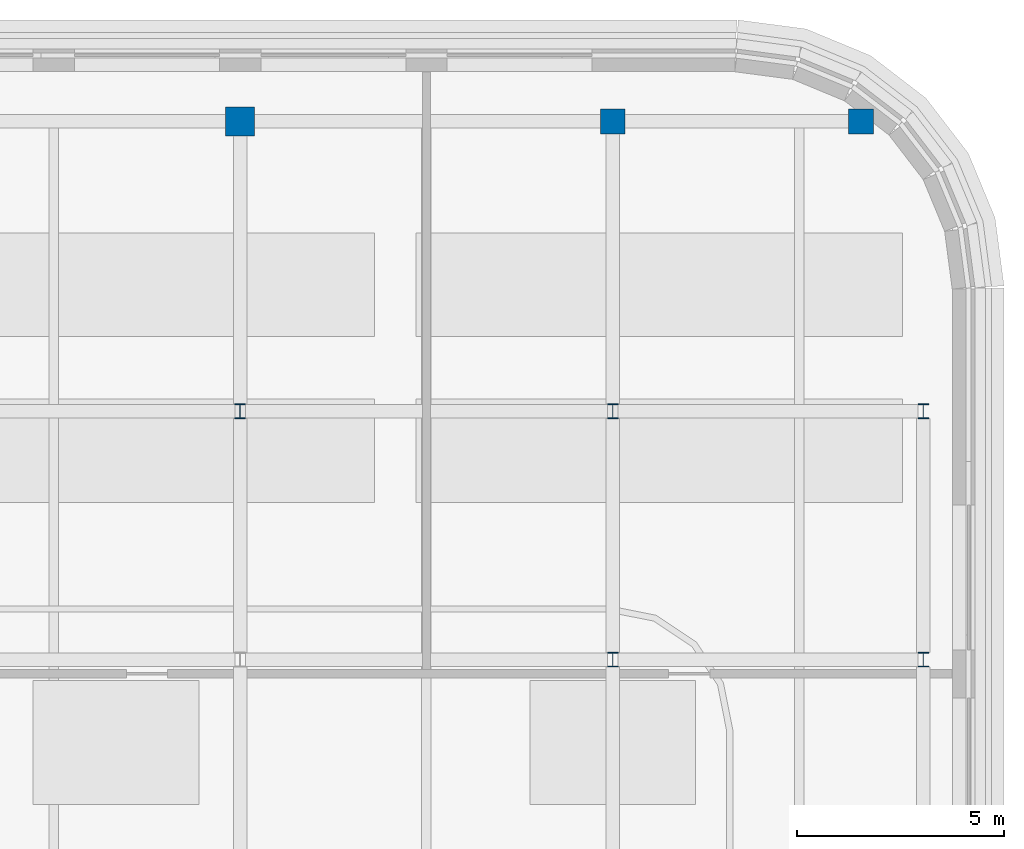
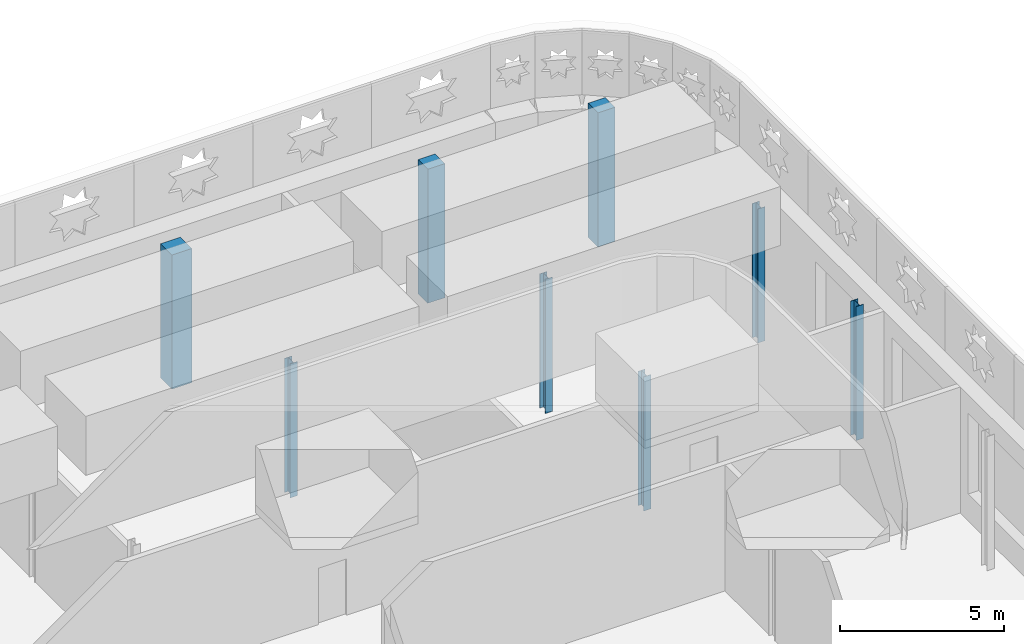
# One storey, part 4 of 14: 8 columns.
"""IFC4 building model written with IfcOpenShell, lengths in metres."""

from ifc_helpers import new_model, si_unit, direction, frame, origin, origin_2d, place, context, subcontext, project, spatial, rectangle, i_section, extrude, material, material_profile, profile_set, type_object, element, save


model = new_model("IFC4")

# Units and contexts
model_context = context("Model", 3, precision=1e-05, world=origin(), true_north=direction((0.0, 1.0)))
body_context = subcontext(model_context, "Body", "Model", "MODEL_VIEW")
ifc_project = project(units=[si_unit("LENGTHUNIT", "METRE"), si_unit("AREAUNIT", "SQUARE_METRE"), si_unit("VOLUMEUNIT", "CUBIC_METRE"), si_unit("PLANEANGLEUNIT", "RADIAN"), si_unit("MASSUNIT", "GRAM", prefix="KILO")], contexts=[model_context])

# Site, building, storey
site_placement = place(None, origin())
site = spatial("IfcSite", under=ifc_project, at=site_placement, CompositionType="ELEMENT")
building_placement = place(site_placement, origin())
building = spatial("IfcBuilding", under=site, at=building_placement, Name="Zellij Exchange Tower", CompositionType="ELEMENT")
storey_placement = place(building_placement, frame((0.0, 0.0, 305.5)))
storey = spatial("IfcBuildingStorey", under=building, at=storey_placement, Name="L71", CompositionType="ELEMENT", Elevation=305.5)

# Columns
ifc_material_1 = material(Name="Concrete C50/60", Category="concrete")
ifc_material_profile_1 = material_profile(ifc_material_1, rectangle(XDim=0.60009765625, YDim=0.60009765625, at=origin_2d()), Name="STR-COLUMN RC600x600 C50/60")
ifc_profile_set_1 = profile_set([ifc_material_profile_1], Name="Concrete C50/60")
column_type_1 = type_object("IfcColumnType", Name="STR-COLUMN RC600x600 C50/60", PredefinedType="COLUMN", material=ifc_profile_set_1)
for number, where, z_axis, x_axis, name in (
    (1, (18.0, 35.0, 0.0), (0.0, 0.0, 1.0), (1.0, 0.0, 0.0), "C13"),
    (2, (24.0, 35.0, 0.0), (0.0, 0.0, 1.0), (1.0, 0.0, 0.0), "C13"),
):
    element("IfcColumn", number, at=place(storey_placement, frame(where, z_axis=z_axis, x_axis=x_axis)), inside=storey, type_object=column_type_1, Name=name, PredefinedType="COLUMN", context=body_context, shape_type="SweptSolid", body=[
        extrude(rectangle(XDim=0.60009765625, YDim=0.60009765625, at=origin_2d()), origin(), (0.0, 0.0, 1.0), 5.0),
    ])
ifc_material_2 = material(Name="Structural steel ASTM A992 Gr 50", Category="steel")
ifc_material_profile_2 = material_profile(ifc_material_2, i_section(OverallWidth=0.25390625, OverallDepth=0.35302734375, WebThickness=0.009521484375, FlangeThickness=0.016357421875, at=origin_2d()), Name="W14x61")
ifc_profile_set_2 = profile_set([ifc_material_profile_2], Name="Structural steel ASTM A992 Gr 50")
column_type_2 = type_object("IfcColumnType", Name="STR-COLUMN W14x61", PredefinedType="COLUMN", material=ifc_profile_set_2)
for number, where, z_axis, x_axis, name in (
    (3, (18.0, 22.0, 0.0), (0.0, 0.0, 1.0), (1.0, 0.0, 0.0), "C6"),
    (4, (25.5, 22.0, 0.0), (0.0, 0.0, 1.0), (1.0, 0.0, 0.0), "C6"),
    (5, (9.0, 28.0, 0.0), (0.0, 0.0, 1.0), (1.0, 0.0, 0.0), "C6"),
    (6, (18.0, 28.0, 0.0), (0.0, 0.0, 1.0), (1.0, 0.0, 0.0), "C6"),
    (7, (25.5, 28.0, 0.0), (0.0, 0.0, 1.0), (1.0, 0.0, 0.0), "C6"),
):
    element("IfcColumn", number, at=place(storey_placement, frame(where, z_axis=z_axis, x_axis=x_axis)), inside=storey, type_object=column_type_2, Name=name, PredefinedType="COLUMN", context=body_context, shape_type="SweptSolid", body=[
        extrude(i_section(OverallWidth=0.25390625, OverallDepth=0.35302734375, WebThickness=0.009521484375, FlangeThickness=0.016357421875, at=origin_2d()), origin(), (0.0, 0.0, 1.0), 5.0),
    ])
ifc_material_profile_3 = material_profile(ifc_material_1, rectangle(XDim=0.699951171875, YDim=0.699951171875, at=origin_2d()), Name="STR-MEGA COLUMN RC700x700 C50/60")
ifc_profile_set_3 = profile_set([ifc_material_profile_3], Name="Concrete C50/60")
column_type_3 = type_object("IfcColumnType", Name="STR-MEGA COLUMN RC700x700 C50/60", PredefinedType="COLUMN", material=ifc_profile_set_3)
column_placement = place(storey_placement, frame((9.0, 35.0, 0.0), z_axis=(0.0, 0.0, 1.0), x_axis=(1.0, 0.0, 0.0)))
element("IfcColumn", 8, at=column_placement, inside=storey, type_object=column_type_3, Name="MC9", PredefinedType="COLUMN", context=body_context, shape_type="SweptSolid", body=[
    extrude(rectangle(XDim=0.699951171875, YDim=0.699951171875, at=origin_2d()), origin(), (0.0, 0.0, 1.0), 5.0),
])

save(model, "model.ifc")
